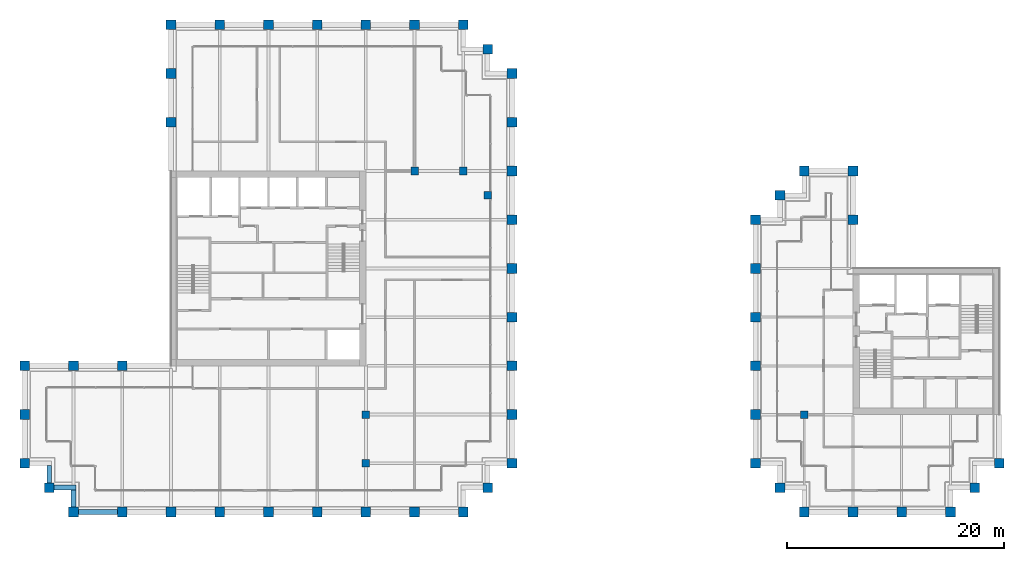
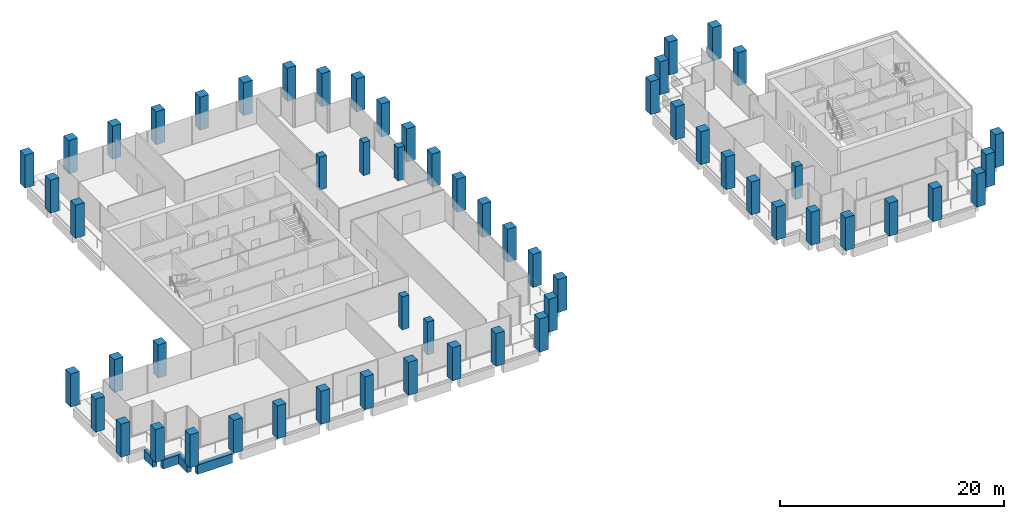
# One storey, part 1 of 40: 58 columns, 4 beams.
"""IFC4 building model written with IfcOpenShell, lengths in metres."""

from ifc_helpers import new_model, si_unit, direction, frame, origin, origin_2d, place, context, subcontext, project, spatial, rectangle, extrude, material, material_profile, profile_set, type_object, element, save


model = new_model("IFC4")

# Units and contexts
model_context = context("Model", 3, precision=1e-05, world=origin(), true_north=direction((0.0, 1.0)))
body_context = subcontext(model_context, "Body", "Model", "MODEL_VIEW")
ifc_project = project(units=[si_unit("LENGTHUNIT", "METRE"), si_unit("AREAUNIT", "SQUARE_METRE"), si_unit("VOLUMEUNIT", "CUBIC_METRE"), si_unit("PLANEANGLEUNIT", "RADIAN"), si_unit("MASSUNIT", "GRAM", prefix="KILO")], contexts=[model_context])

# Site, building, storey
site_placement = place(None, origin())
site = spatial("IfcSite", under=ifc_project, at=site_placement, CompositionType="ELEMENT")
building_placement = place(site_placement, origin())
building = spatial("IfcBuilding", under=site, at=building_placement, Name="Altepetl Exchange Towers", CompositionType="ELEMENT")
storey_placement = place(building_placement, frame((0.0, 0.0, 154.60009765625)))
storey = spatial("IfcBuildingStorey", under=building, at=storey_placement, Name="L38", CompositionType="ELEMENT", Elevation=154.60009765625)

# Columns
ifc_material_1 = material(Name="Concrete C70/85", Category="concrete")
ifc_material_profile_1 = material_profile(ifc_material_1, rectangle(XDim=0.699951171875, YDim=0.699951171875, at=origin_2d()), Name="700 x 700")
ifc_profile_set_1 = profile_set([ifc_material_profile_1], Name="Concrete C70/85")
column_type_1 = type_object("IfcColumnType", Name="Interior column 700", PredefinedType="COLUMN", material=ifc_profile_set_1)
for number, where, name in (
    (1, (58.5, 31.5, 0.0), "col:A:L38:035"),
    (2, (58.5, 36.0, 0.0), "col:A:L38:036"),
    (3, (63.0, 58.5, 0.0), "col:A:L38:037"),
    (4, (67.5, 58.5, 0.0), "col:A:L38:038"),
    (5, (69.75, 56.25, 0.0), "col:A:L38:039"),
    (6, (99.0, 36.0, 0.0), "col:B:L38:017"),
):
    element("IfcColumn", number, at=place(storey_placement, frame(where)), inside=storey, type_object=column_type_1, Name=name, PredefinedType="COLUMN", context=body_context, shape_type="SweptSolid", body=[
        extrude(rectangle(XDim=0.699951171875, YDim=0.699951171875, at=origin_2d()), origin(), (0.0, 0.0, 1.0), 3.599853515625),
    ])
ifc_material_2 = material(Name="Concrete C70/85 precast with cantera amarilla facing", Category="concrete")
ifc_material_profile_2 = material_profile(ifc_material_2, rectangle(XDim=0.89990234375, YDim=0.89990234375, at=origin_2d()), Name="900 x 900")
ifc_profile_set_2 = profile_set([ifc_material_profile_2], Name="Concrete C70/85 precast with cantera amarilla facing")
column_type_2 = type_object("IfcColumnType", Name="Perimeter column 900 cantera amarilla", PredefinedType="COLUMN", material=ifc_profile_set_2)
for number, where, name in (
    (7, (58.5, 27.0, 0.0), "col:A:L38:006"),
    (8, (63.0, 27.0, 0.0), "col:A:L38:007"),
    (9, (67.5, 27.0, 0.0), "col:A:L38:008"),
    (10, (69.75, 29.25, 0.0), "col:A:L38:009"),
    (11, (72.0, 31.5, 0.0), "col:A:L38:010"),
    (12, (72.0, 36.0, 0.0), "col:A:L38:011"),
    (13, (72.0, 40.5, 0.0), "col:A:L38:012"),
    (14, (72.0, 45.0, 0.0), "col:A:L38:013"),
    (15, (72.0, 49.5, 0.0), "col:A:L38:014"),
    (16, (72.0, 54.0, 0.0), "col:A:L38:015"),
):
    element("IfcColumn", number, at=place(storey_placement, frame(where)), inside=storey, type_object=column_type_2, Name=name, PredefinedType="COLUMN", context=body_context, shape_type="SweptSolid", body=[
        extrude(rectangle(XDim=0.89990234375, YDim=0.89990234375, at=origin_2d()), origin(), (0.0, 0.0, 1.0), 3.599853515625),
    ])
ifc_material_3 = material(Name="Concrete C70/85 precast with cantera blanca facing", Category="concrete")
ifc_material_profile_3 = material_profile(ifc_material_3, rectangle(XDim=0.89990234375, YDim=0.89990234375, at=origin_2d()), Name="900 x 900")
ifc_profile_set_3 = profile_set([ifc_material_profile_3], Name="Concrete C70/85 precast with cantera blanca facing")
column_type_3 = type_object("IfcColumnType", Name="Perimeter column 900 cantera blanca", PredefinedType="COLUMN", material=ifc_profile_set_3)
for number, where, name in (
    (17, (31.5, 27.0, 0.0), "col:A:L38:000"),
    (18, (36.0, 27.0, 0.0), "col:A:L38:001"),
    (19, (40.5, 27.0, 0.0), "col:A:L38:002"),
    (20, (45.0, 27.0, 0.0), "col:A:L38:003"),
    (21, (49.5, 27.0, 0.0), "col:A:L38:004"),
    (22, (54.0, 27.0, 0.0), "col:A:L38:005"),
    (23, (27.0, 36.0, 0.0), "col:A:L38:032"),
    (24, (27.0, 31.5, 0.0), "col:A:L38:033"),
    (25, (29.25, 29.25, 0.0), "col:A:L38:034"),
    (26, (117.0, 31.5, 0.0), "col:B:L38:005"),
):
    element("IfcColumn", number, at=place(storey_placement, frame(where)), inside=storey, type_object=column_type_3, Name=name, PredefinedType="COLUMN", context=body_context, shape_type="SweptSolid", body=[
        extrude(rectangle(XDim=0.89990234375, YDim=0.89990234375, at=origin_2d()), origin(), (0.0, 0.0, 1.0), 3.599853515625),
    ])
ifc_material_4 = material(Name="Concrete C70/85 precast with cantera rosa facing", Category="concrete")
ifc_material_profile_4 = material_profile(ifc_material_4, rectangle(XDim=0.89990234375, YDim=0.89990234375, at=origin_2d()), Name="900 x 900")
ifc_profile_set_4 = profile_set([ifc_material_profile_4], Name="Concrete C70/85 precast with cantera rosa facing")
column_type_4 = type_object("IfcColumnType", Name="Perimeter column 900 cantera rosa", PredefinedType="COLUMN", material=ifc_profile_set_4)
for number, where, name in (
    (27, (72.0, 58.5, 0.0), "col:A:L38:016"),
    (28, (72.0, 63.0, 0.0), "col:A:L38:017"),
    (29, (72.0, 67.5, 0.0), "col:A:L38:018"),
    (30, (69.75, 69.75, 0.0), "col:A:L38:019"),
    (31, (67.5, 72.0, 0.0), "col:A:L38:020"),
    (32, (63.0, 72.0, 0.0), "col:A:L38:021"),
    (33, (58.5, 72.0, 0.0), "col:A:L38:022"),
    (34, (54.0, 72.0, 0.0), "col:A:L38:023"),
    (35, (49.5, 72.0, 0.0), "col:A:L38:024"),
    (36, (45.0, 72.0, 0.0), "col:A:L38:025"),
    (37, (103.5, 54.0, 0.0), "col:B:L38:006"),
    (38, (103.5, 58.5, 0.0), "col:B:L38:007"),
    (39, (99.0, 58.5, 0.0), "col:B:L38:008"),
    (40, (96.75, 56.25, 0.0), "col:B:L38:009"),
    (41, (94.5, 54.0, 0.0), "col:B:L38:010"),
    (42, (94.5, 49.5, 0.0), "col:B:L38:011"),
    (43, (94.5, 45.0, 0.0), "col:B:L38:012"),
    (44, (94.5, 40.5, 0.0), "col:B:L38:013"),
    (45, (94.5, 36.0, 0.0), "col:B:L38:014"),
):
    element("IfcColumn", number, at=place(storey_placement, frame(where)), inside=storey, type_object=column_type_4, Name=name, PredefinedType="COLUMN", context=body_context, shape_type="SweptSolid", body=[
        extrude(rectangle(XDim=0.89990234375, YDim=0.89990234375, at=origin_2d()), origin(), (0.0, 0.0, 1.0), 3.599853515625),
    ])
ifc_material_5 = material(Name="Concrete C70/85 precast with tezontle facing", Category="concrete")
ifc_material_profile_5 = material_profile(ifc_material_5, rectangle(XDim=0.89990234375, YDim=0.89990234375, at=origin_2d()), Name="900 x 900")
ifc_profile_set_5 = profile_set([ifc_material_profile_5], Name="Concrete C70/85 precast with tezontle facing")
column_type_5 = type_object("IfcColumnType", Name="Perimeter column 900 tezontle", PredefinedType="COLUMN", material=ifc_profile_set_5)
for number, where, name in (
    (46, (40.5, 72.0, 0.0), "col:A:L38:026"),
    (47, (40.5, 67.5, 0.0), "col:A:L38:027"),
    (48, (40.5, 63.0, 0.0), "col:A:L38:028"),
    (49, (36.0, 40.5, 0.0), "col:A:L38:029"),
    (50, (31.5, 40.5, 0.0), "col:A:L38:030"),
    (51, (27.0, 40.5, 0.0), "col:A:L38:031"),
    (52, (99.0, 27.0, 0.0), "col:B:L38:000"),
    (53, (103.5, 27.0, 0.0), "col:B:L38:001"),
    (54, (108.0, 27.0, 0.0), "col:B:L38:002"),
    (55, (112.5, 27.0, 0.0), "col:B:L38:003"),
    (56, (114.75, 29.25, 0.0), "col:B:L38:004"),
    (57, (94.5, 31.5, 0.0), "col:B:L38:015"),
    (58, (96.75, 29.25, 0.0), "col:B:L38:016"),
):
    element("IfcColumn", number, at=place(storey_placement, frame(where)), inside=storey, type_object=column_type_5, Name=name, PredefinedType="COLUMN", context=body_context, shape_type="SweptSolid", body=[
        extrude(rectangle(XDim=0.89990234375, YDim=0.89990234375, at=origin_2d()), origin(), (0.0, 0.0, 1.0), 3.599853515625),
    ])

# Beams
ifc_material_6 = material(Name="Concrete C50/60 precast with cantera blanca facing", Category="concrete")
ifc_material_profile_6 = material_profile(ifc_material_6, rectangle(XDim=0.449951171875, YDim=1.0, at=origin_2d()), Name="450 x 1000")
ifc_profile_set_6 = profile_set([ifc_material_profile_6], Name="Concrete C50/60 precast with cantera blanca facing")
beam_type = type_object("IfcBeamType", Name="Spandrel beam 450x1000 cantera blanca", PredefinedType="SPANDREL", material=ifc_profile_set_6)
beam_1_placement = place(storey_placement, frame((31.949951171875, 27.0, -0.650146484375), z_axis=(1.0, 0.0, 0.0), x_axis=(0.0, 1.0, 0.0)))
element("IfcBeam", 59, at=beam_1_placement, inside=storey, type_object=beam_type, Name="sp:A:L38:000", PredefinedType="SPANDREL", context=body_context, shape_type="SweptSolid", body=[
    extrude(rectangle(XDim=0.449951171875, YDim=1.0, at=origin_2d()), origin(), (0.0, 0.0, 1.0), 3.60009765625),
])
beam_2_placement = place(storey_placement, frame((29.25, 31.27490234375, -0.650146484375), z_axis=(0.0, -1.0, 0.0), x_axis=(1.0, 0.0, 0.0)))
element("IfcBeam", 60, at=beam_2_placement, inside=storey, type_object=beam_type, Name="sp:A:L38:039", PredefinedType="SPANDREL", context=body_context, shape_type="SweptSolid", body=[
    extrude(rectangle(XDim=0.449951171875, YDim=1.0, at=origin_2d()), origin(), (0.0, 0.0, 1.0), 1.574951171875),
])
beam_3_placement = place(storey_placement, frame((29.699951171875, 29.25, -0.650146484375), z_axis=(1.0, 0.0, 0.0), x_axis=(0.0, 1.0, 0.0)))
element("IfcBeam", 61, at=beam_3_placement, inside=storey, type_object=beam_type, Name="sp:A:L38:040", PredefinedType="SPANDREL", context=body_context, shape_type="SweptSolid", body=[
    extrude(rectangle(XDim=0.449951171875, YDim=1.0, at=origin_2d()), origin(), (0.0, 0.0, 1.0), 2.025146484375),
])
beam_4_placement = place(storey_placement, frame((31.5, 29.02490234375, -0.650146484375), z_axis=(0.0, -1.0, 0.0), x_axis=(1.0, 0.0, 0.0)))
element("IfcBeam", 62, at=beam_4_placement, inside=storey, type_object=beam_type, Name="sp:A:L38:041", PredefinedType="SPANDREL", context=body_context, shape_type="SweptSolid", body=[
    extrude(rectangle(XDim=0.449951171875, YDim=1.0, at=origin_2d()), origin(), (0.0, 0.0, 1.0), 1.574951171875),
])

save(model, "model.ifc")
